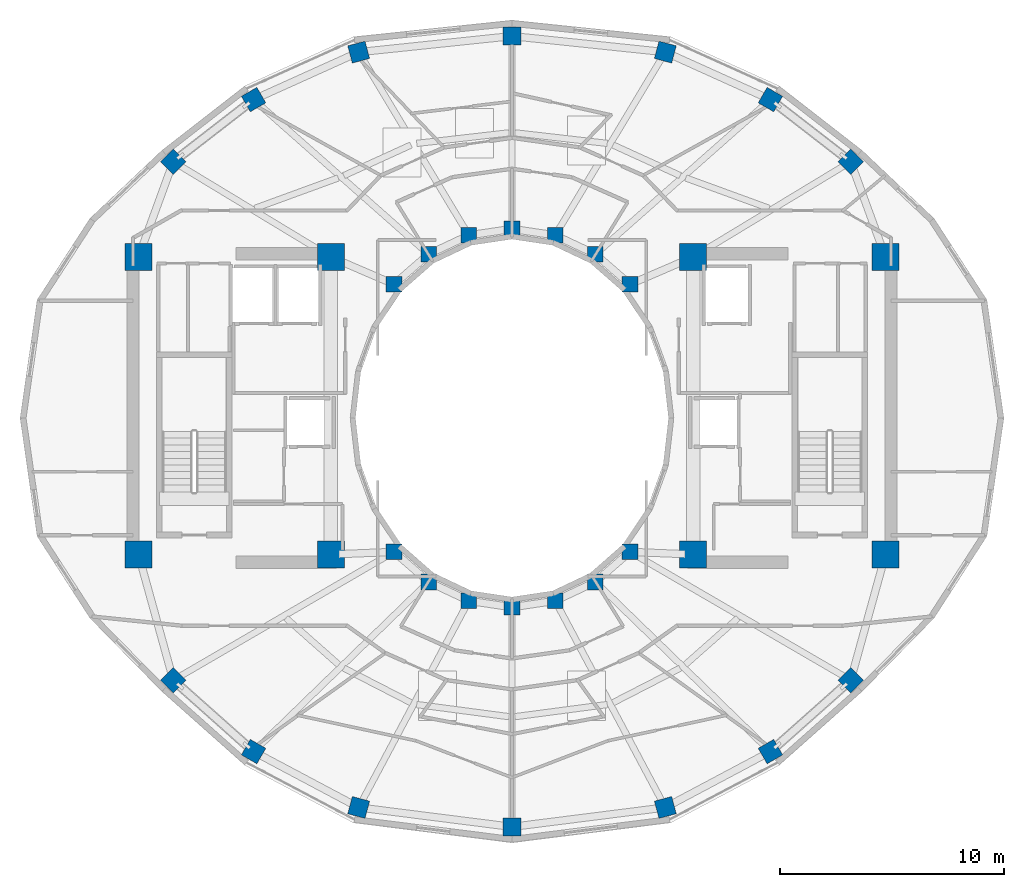
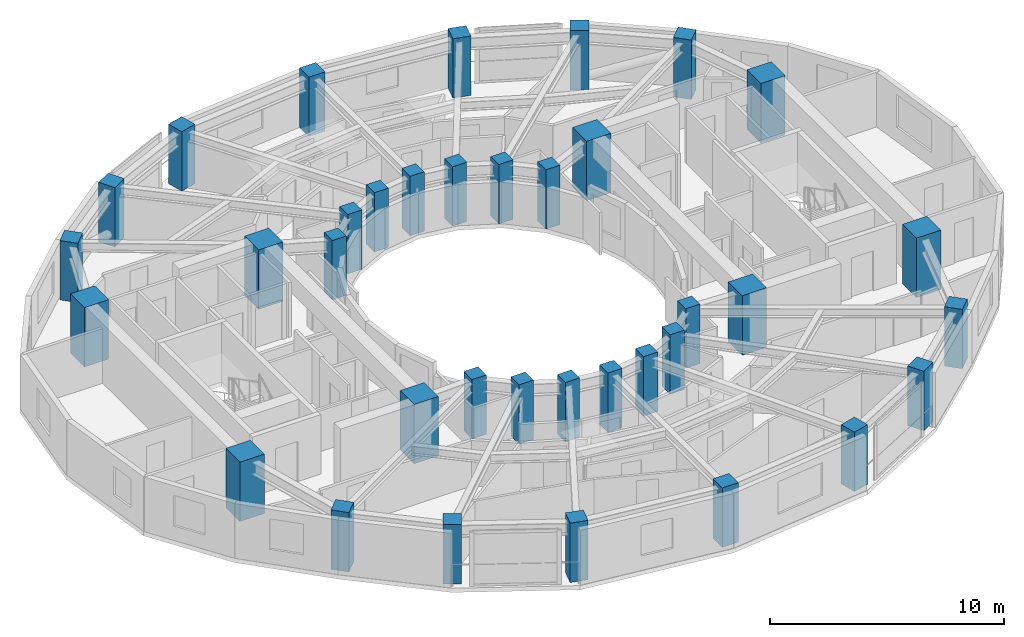
# One storey, part 1 of 16: 36 columns.
"""IFC4 building model written with IfcOpenShell, lengths in metres."""

from ifc_helpers import new_model, si_unit, direction, frame, origin, origin_2d, place, context, subcontext, project, spatial, rectangle, extrude, material, material_profile, profile_set, type_object, element, save


model = new_model("IFC4")

# Units and contexts
model_context = context("Model", 3, precision=1e-05, world=origin(), true_north=direction((0.0, 1.0)))
body_context = subcontext(model_context, "Body", "Model", "MODEL_VIEW")
ifc_project = project(units=[si_unit("LENGTHUNIT", "METRE"), si_unit("AREAUNIT", "SQUARE_METRE"), si_unit("VOLUMEUNIT", "CUBIC_METRE"), si_unit("PLANEANGLEUNIT", "RADIAN"), si_unit("MASSUNIT", "GRAM", prefix="KILO")], contexts=[model_context])

# Site, building, storey
site_placement = place(None, origin())
site = spatial("IfcSite", under=ifc_project, at=site_placement, CompositionType="ELEMENT")
building_placement = place(site_placement, origin())
building = spatial("IfcBuilding", under=site, at=building_placement, Name="Solvane Sanctuary Tower", CompositionType="ELEMENT")
storey_placement = place(building_placement, frame((0.0, 0.0, 226.39990234375)))
storey = spatial("IfcBuildingStorey", under=building, at=storey_placement, Name="L69", CompositionType="ELEMENT", Elevation=226.39990234375)

# Columns
ifc_material_1 = material(Name="Concrete C50/60", Category="concrete")
ifc_material_profile_1 = material_profile(ifc_material_1, rectangle(XDim=0.699951171875, YDim=0.699951171875, at=origin_2d()), Name="RC700X700")
ifc_profile_set_1 = profile_set([ifc_material_profile_1], Name="Concrete C50/60")
column_type_1 = type_object("IfcColumnType", Name="Column C-RING-Z4 RC700X700", PredefinedType="COLUMN", material=ifc_profile_set_1)
for number, where, z_axis, x_axis, name in (
    (1, (37.27490234375, 28.982177734375, 0.0), (0.0, 0.0, 1.0), (1.0, 0.0, 0.0), "L69 Inner Light-Well Ring Column IC01"),
    (2, (35.72998046875, 30.32666015625, 0.0), (0.0, 0.0, 1.0), (1.0, 0.0, 0.0), "L69 Inner Light-Well Ring Column IC02"),
    (3, (33.930908203125, 31.171630859375, 0.0), (0.0, 0.0, 1.0), (1.0, 0.0, 0.0), "L69 Inner Light-Well Ring Column IC03"),
    (4, (32.0, 31.4599609375, 0.0), (0.0, 0.0, 1.0), (1.0, 0.0, 0.0), "L69 Inner Light-Well Ring Column IC04"),
    (5, (30.069091796875, 31.171630859375, 0.0), (0.0, 0.0, 1.0), (1.0, 0.0, 0.0), "L69 Inner Light-Well Ring Column IC05"),
    (6, (28.27001953125, 30.32666015625, 0.0), (0.0, 0.0, 1.0), (1.0, 0.0, 0.0), "L69 Inner Light-Well Ring Column IC06"),
    (7, (26.72509765625, 28.982177734375, 0.0), (0.0, 0.0, 1.0), (1.0, 0.0, 0.0), "L69 Inner Light-Well Ring Column IC07"),
    (8, (26.72509765625, 17.017822265625, 0.0), (0.0, 0.0, 1.0), (1.0, 0.0, 0.0), "L69 Inner Light-Well Ring Column IC08"),
    (9, (28.27001953125, 15.67333984375, 0.0), (0.0, 0.0, 1.0), (1.0, 0.0, 0.0), "L69 Inner Light-Well Ring Column IC09"),
    (10, (30.069091796875, 14.828369140625, 0.0), (0.0, 0.0, 1.0), (1.0, 0.0, 0.0), "L69 Inner Light-Well Ring Column IC10"),
    (11, (32.0, 14.5400390625, 0.0), (0.0, 0.0, 1.0), (1.0, 0.0, 0.0), "L69 Inner Light-Well Ring Column IC11"),
    (12, (33.930908203125, 14.828369140625, 0.0), (0.0, 0.0, 1.0), (1.0, 0.0, 0.0), "L69 Inner Light-Well Ring Column IC12"),
    (13, (35.72998046875, 15.67333984375, 0.0), (0.0, 0.0, 1.0), (1.0, 0.0, 0.0), "L69 Inner Light-Well Ring Column IC13"),
    (14, (37.27490234375, 17.017822265625, 0.0), (0.0, 0.0, 1.0), (1.0, 0.0, 0.0), "L69 Inner Light-Well Ring Column IC14"),
):
    element("IfcColumn", number, at=place(storey_placement, frame(where, z_axis=z_axis, x_axis=x_axis)), inside=storey, type_object=column_type_1, Name=name, PredefinedType="COLUMN", context=body_context, shape_type="SweptSolid", body=[
        extrude(rectangle(XDim=0.699951171875, YDim=0.699951171875, at=origin_2d()), origin(), (0.0, 0.0, 1.0), 3.10009765625),
    ])
ifc_material_2 = material(Name="Concrete C70/85", Category="concrete")
ifc_material_profile_2 = material_profile(ifc_material_2, rectangle(XDim=1.199951171875, YDim=1.199951171875, at=origin_2d()), Name="RC1200X1200")
ifc_profile_set_2 = profile_set([ifc_material_profile_2], Name="Concrete C70/85")
column_type_2 = type_object("IfcColumnType", Name="Column C-TUBE-Z1 RC1200X1200", PredefinedType="COLUMN", material=ifc_profile_set_2)
for number, where, z_axis, x_axis, name in (
    (15, (15.300048828125, 16.89990234375, 0.0), (0.0, 0.0, 1.0), (1.0, 0.0, 0.0), "L69 Core Corner Column CW1"),
    (16, (23.89990234375, 16.89990234375, 0.0), (0.0, 0.0, 1.0), (1.0, 0.0, 0.0), "L69 Core Corner Column CW2"),
    (17, (23.89990234375, 30.199951171875, 0.0), (0.0, 0.0, 1.0), (1.0, 0.0, 0.0), "L69 Core Corner Column CW3"),
    (18, (15.300048828125, 30.199951171875, 0.0), (0.0, 0.0, 1.0), (1.0, 0.0, 0.0), "L69 Core Corner Column CW4"),
    (19, (40.10009765625, 16.89990234375, 0.0), (0.0, 0.0, 1.0), (1.0, 0.0, 0.0), "L69 Core Corner Column CE1"),
    (20, (48.699951171875, 16.89990234375, 0.0), (0.0, 0.0, 1.0), (1.0, 0.0, 0.0), "L69 Core Corner Column CE2"),
    (21, (48.699951171875, 30.199951171875, 0.0), (0.0, 0.0, 1.0), (1.0, 0.0, 0.0), "L69 Core Corner Column CE3"),
    (22, (40.10009765625, 30.199951171875, 0.0), (0.0, 0.0, 1.0), (1.0, 0.0, 0.0), "L69 Core Corner Column CE4"),
):
    element("IfcColumn", number, at=place(storey_placement, frame(where, z_axis=z_axis, x_axis=x_axis)), inside=storey, type_object=column_type_2, Name=name, PredefinedType="COLUMN", context=body_context, shape_type="SweptSolid", body=[
        extrude(rectangle(XDim=1.199951171875, YDim=1.199951171875, at=origin_2d()), origin(), (0.0, 0.0, 1.0), 3.10009765625),
    ])
ifc_material_profile_3 = material_profile(ifc_material_1, rectangle(XDim=0.800048828125, YDim=0.800048828125, at=origin_2d()), Name="RC800X800")
ifc_profile_set_3 = profile_set([ifc_material_profile_3], Name="Concrete C50/60")
column_type_3 = type_object("IfcColumnType", Name="Column C-TUBE-Z4 RC800X800", PredefinedType="COLUMN", material=ifc_profile_set_3)
for number, where, z_axis, x_axis, name in (
    (23, (47.14501953125, 34.461669921875, 0.0), (0.0, 0.0, 1.0), (0.707106781187, 0.707106781187, 0.0), "L69 Perimeter Tube Column TC01"),
    (24, (43.55517578125, 37.241455078125, 0.0), (0.0, 0.0, 1.0), (0.5, 0.866025403784, 0.0), "L69 Perimeter Tube Column TC02"),
    (25, (38.856201171875, 39.3623046875, 0.0), (0.0, 0.0, 1.0), (0.258819045103, 0.965925826289, 0.0), "L69 Perimeter Tube Column TC03"),
    (26, (32.0, 40.080078125, 0.0), (0.0, 0.0, 1.0), (0.0, 1.0, 0.0), "L69 Perimeter Tube Column TC04"),
    (27, (25.143798828125, 39.3623046875, 0.0), (0.0, 0.0, 1.0), (-0.258819045103, 0.965925826289, 0.0), "L69 Perimeter Tube Column TC05"),
    (28, (20.44482421875, 37.241455078125, 0.0), (0.0, 0.0, 1.0), (-0.5, 0.866025403784, 0.0), "L69 Perimeter Tube Column TC06"),
    (29, (16.85498046875, 34.461669921875, 0.0), (0.0, 0.0, 1.0), (-0.707106781187, 0.707106781187, 0.0), "L69 Perimeter Tube Column TC07"),
    (30, (16.85498046875, 11.279052734375, 0.0), (0.0, 0.0, 1.0), (-0.707106781187, -0.707106781187, 0.0), "L69 Perimeter Tube Column TC08"),
    (31, (20.44482421875, 8.086181640625, 0.0), (0.0, 0.0, 1.0), (-0.5, -0.866025403784, 0.0), "L69 Perimeter Tube Column TC09"),
    (32, (25.143798828125, 5.588623046875, 0.0), (0.0, 0.0, 1.0), (-0.258819045103, -0.965925826289, 0.0), "L69 Perimeter Tube Column TC10"),
    (33, (32.0, 4.719970703125, 0.0), (0.0, 0.0, 1.0), (0.0, -1.0, 0.0), "L69 Perimeter Tube Column TC11"),
    (34, (38.856201171875, 5.588623046875, 0.0), (0.0, 0.0, 1.0), (0.258819045103, -0.965925826289, 0.0), "L69 Perimeter Tube Column TC12"),
    (35, (43.55517578125, 8.086181640625, 0.0), (0.0, 0.0, 1.0), (0.5, -0.866025403784, 0.0), "L69 Perimeter Tube Column TC13"),
    (36, (47.14501953125, 11.279052734375, 0.0), (0.0, 0.0, 1.0), (0.707106781187, -0.707106781187, 0.0), "L69 Perimeter Tube Column TC14"),
):
    element("IfcColumn", number, at=place(storey_placement, frame(where, z_axis=z_axis, x_axis=x_axis)), inside=storey, type_object=column_type_3, Name=name, PredefinedType="COLUMN", context=body_context, shape_type="SweptSolid", body=[
        extrude(rectangle(XDim=0.800048828125, YDim=0.800048828125, at=origin_2d()), origin(), (0.0, 0.0, 1.0), 3.10009765625),
    ])

save(model, "model.ifc")
